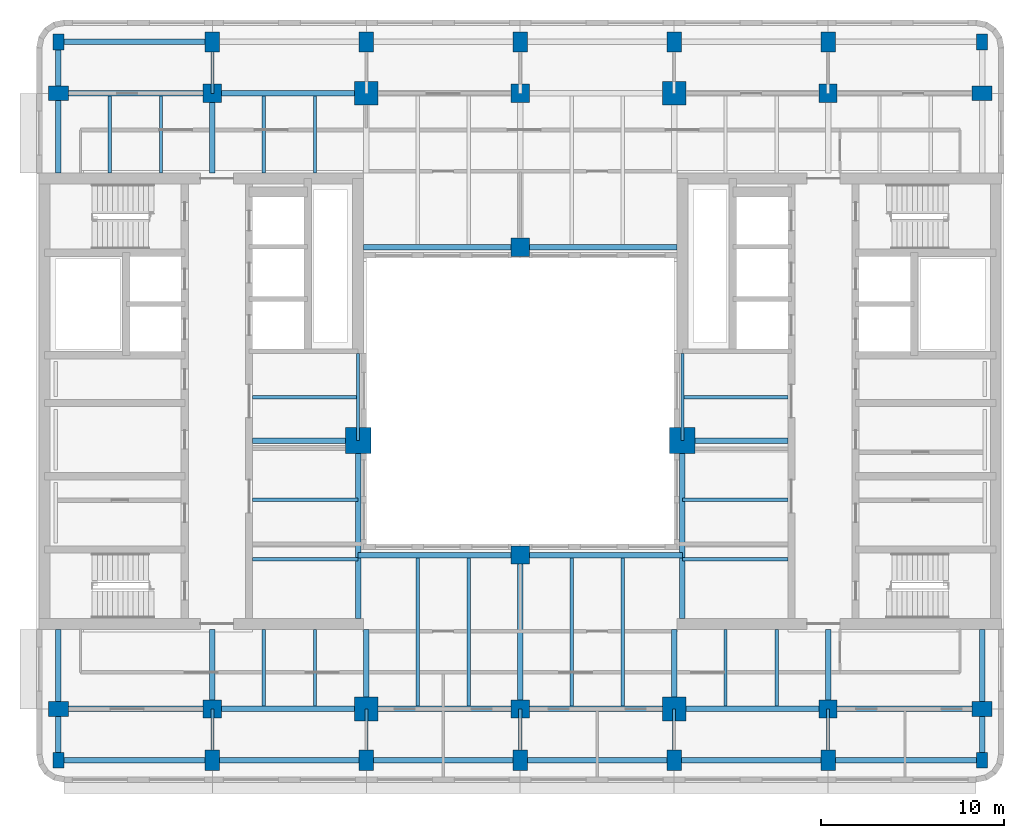
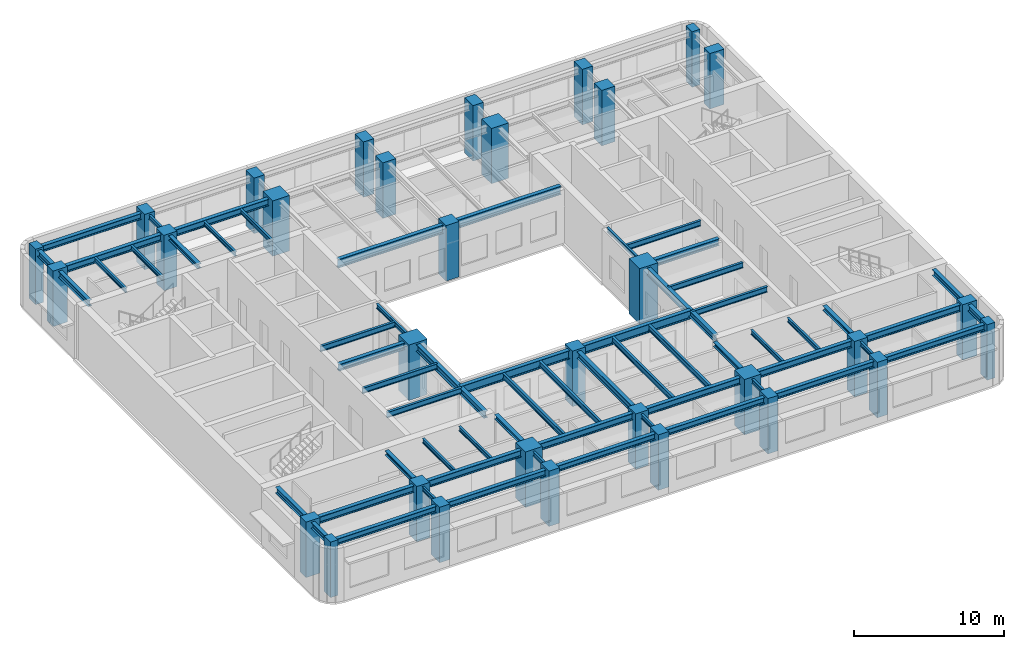
# One storey, part 1 of 11: 61 beams, 32 columns.
"""IFC4 building model written with IfcOpenShell, lengths in metres."""

from ifc_helpers import new_model, si_unit, direction, frame, origin, origin_2d, place, context, subcontext, project, spatial, rectangle, i_section, extrude, material, material_profile, profile_set, type_object, element, save


model = new_model("IFC4")

# Units and contexts
model_context = context("Model", 3, precision=1e-05, world=origin(), true_north=direction((0.0, 1.0)))
body_context = subcontext(model_context, "Body", "Model", "MODEL_VIEW")
ifc_project = project(units=[si_unit("LENGTHUNIT", "METRE"), si_unit("AREAUNIT", "SQUARE_METRE"), si_unit("VOLUMEUNIT", "CUBIC_METRE"), si_unit("PLANEANGLEUNIT", "RADIAN"), si_unit("MASSUNIT", "GRAM", prefix="KILO")], contexts=[model_context])

# Site, building, storey
site_placement = place(None, origin())
site = spatial("IfcSite", under=ifc_project, at=site_placement, CompositionType="ELEMENT")
building_placement = place(site_placement, origin())
building = spatial("IfcBuilding", under=site, at=building_placement, Name="Claustro Exchange Tower", CompositionType="ELEMENT")
storey_placement = place(building_placement, frame((0.0, 0.0, 263.699951171875)))
storey = spatial("IfcBuildingStorey", under=building, at=storey_placement, Name="L60", CompositionType="ELEMENT", Elevation=263.699951171875)

# Columns
ifc_material_1 = material(Name="Concrete HA-70 (C70/85)", Category="concrete")
ifc_material_profile_1 = material_profile(ifc_material_1, rectangle(XDim=1.39990234375, YDim=1.39990234375, at=origin_2d()), Name="RC 1400x1400")
ifc_profile_set_1 = profile_set([ifc_material_profile_1], Name="Concrete HA-70 (C70/85)")
column_type_1 = type_object("IfcColumnType", Name="C0 RC 1400x1400 HA-70 column", PredefinedType="COLUMN", material=ifc_profile_set_1)
for number, where, z_axis, x_axis, name in (
    (1, (16.35009765625, 23.050048828125, 0.0), (0.0, 0.0, 1.0), (1.0, 0.0, 0.0), "Column C0 2+7950/C+6250 L60"),
    (2, (34.050048828125, 23.050048828125, 0.0), (0.0, 0.0, 1.0), (1.0, 0.0, 0.0), "Column C0 5+450/C+6250 L60"),
):
    element("IfcColumn", number, at=place(storey_placement, frame(where, z_axis=z_axis, x_axis=x_axis)), inside=storey, type_object=column_type_1, Name=name, PredefinedType="COLUMN", context=body_context, shape_type="SweptSolid", body=[
        extrude(rectangle(XDim=1.39990234375, YDim=1.39990234375, at=origin_2d()), origin(), (0.0, 0.0, 1.0), 4.5),
    ])
ifc_material_2 = material(Name="Concrete HA-70 (C70/85)", Category="concrete")
ifc_material_profile_2 = material_profile(ifc_material_2, rectangle(XDim=1.0, YDim=1.0, at=origin_2d()), Name="RC 1000x1000")
ifc_profile_set_2 = profile_set([ifc_material_profile_2], Name="Concrete HA-70 (C70/85)")
column_type_2 = type_object("IfcColumnType", Name="C2 RC 1000x1000 HA-70 column", PredefinedType="COLUMN", material=ifc_profile_set_2)
for number, where, z_axis, x_axis, name in (
    (3, (8.39990234375, 8.39990234375, 0.0), (0.0, 0.0, 1.0), (1.0, 0.0, 0.0), "Column C2 2/B L60"),
    (4, (8.39990234375, 42.0, 0.0), (0.0, 0.0, 1.0), (1.0, 0.0, 0.0), "Column C2 2/F L60"),
    (5, (25.199951171875, 8.39990234375, 0.0), (0.0, 0.0, 1.0), (1.0, 0.0, 0.0), "Column C2 4/B L60"),
    (6, (25.199951171875, 42.0, 0.0), (0.0, 0.0, 1.0), (1.0, 0.0, 0.0), "Column C2 4/F L60"),
    (7, (25.199951171875, 16.800048828125, 0.0), (0.0, 0.0, 1.0), (1.0, 0.0, 0.0), "Column C2 4/C L60"),
    (8, (25.199951171875, 33.60009765625, 0.0), (0.0, 0.0, 1.0), (1.0, 0.0, 0.0), "Column C2 4/E L60"),
    (9, (42.0, 8.39990234375, 0.0), (0.0, 0.0, 1.0), (1.0, 0.0, 0.0), "Column C2 6/B L60"),
    (10, (42.0, 42.0, 0.0), (0.0, 0.0, 1.0), (1.0, 0.0, 0.0), "Column C2 6/F L60"),
):
    element("IfcColumn", number, at=place(storey_placement, frame(where, z_axis=z_axis, x_axis=x_axis)), inside=storey, type_object=column_type_2, Name=name, PredefinedType="COLUMN", context=body_context, shape_type="SweptSolid", body=[
        extrude(rectangle(XDim=1.0, YDim=1.0, at=origin_2d()), origin(), (0.0, 0.0, 1.0), 4.5),
    ])
ifc_material_3 = material(Name="Concrete HA-50 (C50/60)", Category="concrete")
ifc_material_profile_3 = material_profile(ifc_material_3, rectangle(XDim=0.800048828125, YDim=1.10009765625, at=origin_2d()), Name="RC 800x1100")
ifc_profile_set_3 = profile_set([ifc_material_profile_3], Name="Concrete HA-50 (C50/60)")
column_type_3 = type_object("IfcColumnType", Name="C23 RC 800x1100 HA-50 perimeter column", PredefinedType="COLUMN", material=ifc_profile_set_3)
for number, where, z_axis, x_axis, name in (
    (11, (0.0, 8.39990234375, 0.0), (0.0, 0.0, 1.0), (0.0, 1.0, 0.0), "Column C23 1/B L60"),
    (12, (0.0, 42.0, 0.0), (0.0, 0.0, 1.0), (0.0, 1.0, 0.0), "Column C23 1/F L60"),
    (13, (8.39990234375, 5.60009765625, 0.0), (0.0, 0.0, 1.0), (1.0, 0.0, 0.0), "Column C23 2/A+5600 L60"),
    (14, (8.39990234375, 44.800048828125, 0.0), (0.0, 0.0, 1.0), (1.0, 0.0, 0.0), "Column C23 2/F+2800 L60"),
    (15, (16.800048828125, 5.60009765625, 0.0), (0.0, 0.0, 1.0), (1.0, 0.0, 0.0), "Column C23 3/A+5600 L60"),
    (16, (16.800048828125, 44.800048828125, 0.0), (0.0, 0.0, 1.0), (1.0, 0.0, 0.0), "Column C23 3/F+2800 L60"),
    (17, (25.199951171875, 5.60009765625, 0.0), (0.0, 0.0, 1.0), (1.0, 0.0, 0.0), "Column C23 4/A+5600 L60"),
    (18, (25.199951171875, 44.800048828125, 0.0), (0.0, 0.0, 1.0), (1.0, 0.0, 0.0), "Column C23 4/F+2800 L60"),
    (19, (33.60009765625, 5.60009765625, 0.0), (0.0, 0.0, 1.0), (1.0, 0.0, 0.0), "Column C23 5/A+5600 L60"),
    (20, (33.60009765625, 44.800048828125, 0.0), (0.0, 0.0, 1.0), (1.0, 0.0, 0.0), "Column C23 5/F+2800 L60"),
    (21, (42.0, 5.60009765625, 0.0), (0.0, 0.0, 1.0), (1.0, 0.0, 0.0), "Column C23 6/A+5600 L60"),
    (22, (42.0, 44.800048828125, 0.0), (0.0, 0.0, 1.0), (1.0, 0.0, 0.0), "Column C23 6/F+2800 L60"),
    (23, (50.39990234375, 8.39990234375, 0.0), (0.0, 0.0, 1.0), (0.0, 1.0, 0.0), "Column C23 7/B L60"),
    (24, (50.39990234375, 42.0, 0.0), (0.0, 0.0, 1.0), (0.0, 1.0, 0.0), "Column C23 7/F L60"),
):
    element("IfcColumn", number, at=place(storey_placement, frame(where, z_axis=z_axis, x_axis=x_axis)), inside=storey, type_object=column_type_3, Name=name, PredefinedType="COLUMN", context=body_context, shape_type="SweptSolid", body=[
        extrude(rectangle(XDim=0.800048828125, YDim=1.10009765625, at=origin_2d()), origin(), (0.0, 0.0, 1.0), 4.5),
    ])
ifc_material_4 = material(Name="Concrete HA-50 (C50/60)", Category="concrete")
ifc_material_profile_4 = material_profile(ifc_material_4, rectangle(XDim=0.60009765625, YDim=0.85009765625, at=origin_2d()), Name="RC 600x850")
ifc_profile_set_4 = profile_set([ifc_material_profile_4], Name="Concrete HA-50 (C50/60)")
column_type_4 = type_object("IfcColumnType", Name="C25 RC 600x850 HA-50 corner column", PredefinedType="COLUMN", material=ifc_profile_set_4)
for number, where, z_axis, x_axis, name in (
    (25, (0.0, 5.60009765625, 0.0), (0.0, 0.0, 1.0), (1.0, 0.0, 0.0), "Column C25 1/A+5600 L60"),
    (26, (0.0, 44.800048828125, 0.0), (0.0, 0.0, 1.0), (1.0, 0.0, 0.0), "Column C25 1/F+2800 L60"),
    (27, (50.39990234375, 5.60009765625, 0.0), (0.0, 0.0, 1.0), (1.0, 0.0, 0.0), "Column C25 7/A+5600 L60"),
    (28, (50.39990234375, 44.800048828125, 0.0), (0.0, 0.0, 1.0), (1.0, 0.0, 0.0), "Column C25 7/F+2800 L60"),
):
    element("IfcColumn", number, at=place(storey_placement, frame(where, z_axis=z_axis, x_axis=x_axis)), inside=storey, type_object=column_type_4, Name=name, PredefinedType="COLUMN", context=body_context, shape_type="SweptSolid", body=[
        extrude(rectangle(XDim=0.60009765625, YDim=0.85009765625, at=origin_2d()), origin(), (0.0, 0.0, 1.0), 4.5),
    ])
ifc_material_5 = material(Name="Concrete HA-70 (C70/85)", Category="concrete")
ifc_material_profile_5 = material_profile(ifc_material_5, rectangle(XDim=1.300048828125, YDim=1.300048828125, at=origin_2d()), Name="RC 1300x1300")
ifc_profile_set_5 = profile_set([ifc_material_profile_5], Name="Concrete HA-70 (C70/85)")
column_type_5 = type_object("IfcColumnType", Name="C42 RC 1300x1300 HA-70 column", PredefinedType="COLUMN", material=ifc_profile_set_5)
for number, where, z_axis, x_axis, name in (
    (29, (16.800048828125, 8.39990234375, 0.0), (0.0, 0.0, 1.0), (1.0, 0.0, 0.0), "Column C42 3/B L60"),
    (30, (16.800048828125, 42.0, 0.0), (0.0, 0.0, 1.0), (1.0, 0.0, 0.0), "Column C42 3/F L60"),
    (31, (33.60009765625, 8.39990234375, 0.0), (0.0, 0.0, 1.0), (1.0, 0.0, 0.0), "Column C42 5/B L60"),
    (32, (33.60009765625, 42.0, 0.0), (0.0, 0.0, 1.0), (1.0, 0.0, 0.0), "Column C42 5/F L60"),
):
    element("IfcColumn", number, at=place(storey_placement, frame(where, z_axis=z_axis, x_axis=x_axis)), inside=storey, type_object=column_type_5, Name=name, PredefinedType="COLUMN", context=body_context, shape_type="SweptSolid", body=[
        extrude(rectangle(XDim=1.300048828125, YDim=1.300048828125, at=origin_2d()), origin(), (0.0, 0.0, 1.0), 4.5),
    ])

# Beams
ifc_material_6 = material(Name="Steel S355", Category="steel")
ifc_material_profile_6 = material_profile(ifc_material_6, i_section(OverallWidth=0.300048828125, OverallDepth=0.68994140625, WebThickness=0.014404296875, FlangeThickness=0.027099609375, FilletRadius=0.027099609375, at=origin_2d()), Name="HE 700 A")
ifc_profile_set_6 = profile_set([ifc_material_profile_6], Name="Steel S355")
beam_type_1 = type_object("IfcBeamType", Name="B13 HE 700 A light well edge girder", PredefinedType="BEAM", material=ifc_profile_set_6)
beam_1_placement = place(storey_placement, frame((16.35009765625, 16.800048828125, 4.005126953125), z_axis=(1.0, 0.0, 0.0), x_axis=(0.0, 1.0, 0.0)))
element("IfcBeam", 33, at=beam_1_placement, inside=storey, type_object=beam_type_1, Name="Beam B13 L61", PredefinedType="BEAM", context=body_context, shape_type="SweptSolid", body=[
    extrude(i_section(OverallWidth=0.300048828125, OverallDepth=0.68994140625, WebThickness=0.014404296875, FlangeThickness=0.027099609375, FilletRadius=0.027099609375, at=origin_2d()), origin(), (0.0, 0.0, 1.0), 8.849853515625),
])
beam_2_placement = place(storey_placement, frame((25.199951171875, 16.800048828125, 4.005126953125), z_axis=(1.0, 0.0, 0.0), x_axis=(0.0, 1.0, 0.0)))
element("IfcBeam", 34, at=beam_2_placement, inside=storey, type_object=beam_type_1, Name="Beam B13 L61", PredefinedType="BEAM", context=body_context, shape_type="SweptSolid", body=[
    extrude(i_section(OverallWidth=0.300048828125, OverallDepth=0.68994140625, WebThickness=0.014404296875, FlangeThickness=0.027099609375, FilletRadius=0.027099609375, at=origin_2d()), origin(), (0.0, 0.0, 1.0), 8.85009765625),
])
for number, where, z_axis, x_axis, name in (
    (35, (16.64990234375, 33.60009765625, 4.005126953125), (1.0, 0.0, 0.0), (0.0, 1.0, 0.0), "Beam B13 L61"),
    (36, (25.199951171875, 33.60009765625, 4.005126953125), (1.0, 0.0, 0.0), (0.0, 1.0, 0.0), "Beam B13 L61"),
):
    element("IfcBeam", number, at=place(storey_placement, frame(where, z_axis=z_axis, x_axis=x_axis)), inside=storey, type_object=beam_type_1, Name=name, PredefinedType="BEAM", context=body_context, shape_type="SweptSolid", body=[
        extrude(i_section(OverallWidth=0.300048828125, OverallDepth=0.68994140625, WebThickness=0.014404296875, FlangeThickness=0.027099609375, FilletRadius=0.027099609375, at=origin_2d()), origin(), (0.0, 0.0, 1.0), 8.550048828125),
    ])
ifc_material_7 = material(Name="Steel S355", Category="steel")
ifc_material_profile_7 = material_profile(ifc_material_7, i_section(OverallWidth=0.169921875, OverallDepth=0.360107421875, WebThickness=0.008056640625, FlangeThickness=0.0126953125, FilletRadius=0.01806640625, at=origin_2d()), Name="IPE 360")
ifc_profile_set_7 = profile_set([ifc_material_profile_7], Name="Steel S355")
beam_type_2 = type_object("IfcBeamType", Name="B16 IPE 360 short-span beam", PredefinedType="BEAM", material=ifc_profile_set_7)
beam_3_placement = place(storey_placement, frame((8.39990234375, 5.60009765625, 4.170166015625), z_axis=(0.0, 1.0, 0.0), x_axis=(-1.0, 0.0, 0.0)))
element("IfcBeam", 37, at=beam_3_placement, inside=storey, type_object=beam_type_2, Name="Beam B16 L61", PredefinedType="BEAM", context=body_context, shape_type="SweptSolid", body=[
    extrude(i_section(OverallWidth=0.169921875, OverallDepth=0.360107421875, WebThickness=0.008056640625, FlangeThickness=0.0126953125, FilletRadius=0.01806640625, at=origin_2d()), origin(), (0.0, 0.0, 1.0), 2.7998046875),
])
beam_4_placement = place(storey_placement, frame((8.39990234375, 42.0, 4.170166015625), z_axis=(0.0, 1.0, 0.0), x_axis=(-1.0, 0.0, 0.0)))
element("IfcBeam", 38, at=beam_4_placement, inside=storey, type_object=beam_type_2, Name="Beam B16 L61", PredefinedType="BEAM", context=body_context, shape_type="SweptSolid", body=[
    extrude(i_section(OverallWidth=0.169921875, OverallDepth=0.360107421875, WebThickness=0.008056640625, FlangeThickness=0.0126953125, FilletRadius=0.01806640625, at=origin_2d()), origin(), (0.0, 0.0, 1.0), 2.800048828125),
])
for number, where, z_axis, x_axis, name in (
    (39, (16.800048828125, 5.60009765625, 4.170166015625), (0.0, 1.0, 0.0), (-1.0, 0.0, 0.0), "Beam B16 L61"),
    (40, (25.199951171875, 5.60009765625, 4.170166015625), (0.0, 1.0, 0.0), (-1.0, 0.0, 0.0), "Beam B16 L61"),
    (41, (33.60009765625, 5.60009765625, 4.170166015625), (0.0, 1.0, 0.0), (-1.0, 0.0, 0.0), "Beam B16 L61"),
    (42, (42.0, 5.60009765625, 4.170166015625), (0.0, 1.0, 0.0), (-1.0, 0.0, 0.0), "Beam B16 L61"),
):
    element("IfcBeam", number, at=place(storey_placement, frame(where, z_axis=z_axis, x_axis=x_axis)), inside=storey, type_object=beam_type_2, Name=name, PredefinedType="BEAM", context=body_context, shape_type="SweptSolid", body=[
        extrude(i_section(OverallWidth=0.169921875, OverallDepth=0.360107421875, WebThickness=0.008056640625, FlangeThickness=0.0126953125, FilletRadius=0.01806640625, at=origin_2d()), origin(), (0.0, 0.0, 1.0), 2.7998046875),
    ])
for number, where, z_axis, x_axis, name in (
    (43, (2.800048828125, 37.64990234375, 4.170166015625), (0.0, 1.0, 0.0), (-1.0, 0.0, 0.0), "Beam B16 L61"),
    (44, (5.60009765625, 37.64990234375, 4.170166015625), (0.0, 1.0, 0.0), (-1.0, 0.0, 0.0), "Beam B16 L61"),
):
    element("IfcBeam", number, at=place(storey_placement, frame(where, z_axis=z_axis, x_axis=x_axis)), inside=storey, type_object=beam_type_2, Name=name, PredefinedType="BEAM", context=body_context, shape_type="SweptSolid", body=[
        extrude(i_section(OverallWidth=0.169921875, OverallDepth=0.360107421875, WebThickness=0.008056640625, FlangeThickness=0.0126953125, FilletRadius=0.01806640625, at=origin_2d()), origin(), (0.0, 0.0, 1.0), 4.2001953125),
    ])
for number, where, z_axis, x_axis, name in (
    (45, (11.199951171875, 8.550048828125, 4.170166015625), (0.0, 1.0, 0.0), (-1.0, 0.0, 0.0), "Beam B16 L61"),
    (46, (14.0, 8.550048828125, 4.170166015625), (0.0, 1.0, 0.0), (-1.0, 0.0, 0.0), "Beam B16 L61"),
):
    element("IfcBeam", number, at=place(storey_placement, frame(where, z_axis=z_axis, x_axis=x_axis)), inside=storey, type_object=beam_type_2, Name=name, PredefinedType="BEAM", context=body_context, shape_type="SweptSolid", body=[
        extrude(i_section(OverallWidth=0.169921875, OverallDepth=0.360107421875, WebThickness=0.008056640625, FlangeThickness=0.0126953125, FilletRadius=0.01806640625, at=origin_2d()), origin(), (0.0, 0.0, 1.0), 4.199951171875),
    ])
for number, where, z_axis, x_axis, name in (
    (47, (11.199951171875, 37.64990234375, 4.170166015625), (0.0, 1.0, 0.0), (-1.0, 0.0, 0.0), "Beam B16 L61"),
    (48, (14.0, 37.64990234375, 4.170166015625), (0.0, 1.0, 0.0), (-1.0, 0.0, 0.0), "Beam B16 L61"),
):
    element("IfcBeam", number, at=place(storey_placement, frame(where, z_axis=z_axis, x_axis=x_axis)), inside=storey, type_object=beam_type_2, Name=name, PredefinedType="BEAM", context=body_context, shape_type="SweptSolid", body=[
        extrude(i_section(OverallWidth=0.169921875, OverallDepth=0.360107421875, WebThickness=0.008056640625, FlangeThickness=0.0126953125, FilletRadius=0.01806640625, at=origin_2d()), origin(), (0.0, 0.0, 1.0), 4.2001953125),
    ])
for number, where, z_axis, x_axis, name in (
    (49, (36.39990234375, 8.550048828125, 4.170166015625), (0.0, 1.0, 0.0), (-1.0, 0.0, 0.0), "Beam B16 L61"),
    (50, (39.199951171875, 8.550048828125, 4.170166015625), (0.0, 1.0, 0.0), (-1.0, 0.0, 0.0), "Beam B16 L61"),
):
    element("IfcBeam", number, at=place(storey_placement, frame(where, z_axis=z_axis, x_axis=x_axis)), inside=storey, type_object=beam_type_2, Name=name, PredefinedType="BEAM", context=body_context, shape_type="SweptSolid", body=[
        extrude(i_section(OverallWidth=0.169921875, OverallDepth=0.360107421875, WebThickness=0.008056640625, FlangeThickness=0.0126953125, FilletRadius=0.01806640625, at=origin_2d()), origin(), (0.0, 0.0, 1.0), 4.199951171875),
    ])
for number, where, z_axis, x_axis, name in (
    (51, (16.35009765625, 23.050048828125, 4.170166015625), (0.0, 1.0, 0.0), (-1.0, 0.0, 0.0), "Beam B16 core step framing L61"),
    (52, (34.050048828125, 23.050048828125, 4.170166015625), (0.0, 1.0, 0.0), (-1.0, 0.0, 0.0), "Beam B16 core step framing L61"),
):
    element("IfcBeam", number, at=place(storey_placement, frame(where, z_axis=z_axis, x_axis=x_axis)), inside=storey, type_object=beam_type_2, Name=name, PredefinedType="BEAM", context=body_context, shape_type="SweptSolid", body=[
        extrude(i_section(OverallWidth=0.169921875, OverallDepth=0.360107421875, WebThickness=0.008056640625, FlangeThickness=0.0126953125, FilletRadius=0.01806640625, at=origin_2d()), origin(), (0.0, 0.0, 1.0), 4.75),
    ])
ifc_material_8 = material(Name="Steel S355", Category="steel")
ifc_material_profile_8 = material_profile(ifc_material_8, i_section(OverallWidth=0.300048828125, OverallDepth=0.550048828125, WebThickness=0.014892578125, FlangeThickness=0.029052734375, FilletRadius=0.027099609375, at=origin_2d()), Name="HE 550 B")
ifc_profile_set_8 = profile_set([ifc_material_profile_8], Name="Steel S355")
beam_type_3 = type_object("IfcBeamType", Name="B17 HE 550 B floor girder", PredefinedType="BEAM", material=ifc_profile_set_8)
beam_5_placement = place(storey_placement, frame((25.199951171875, 8.39990234375, 4.074951171875), z_axis=(0.0, 1.0, 0.0), x_axis=(-1.0, 0.0, 0.0)))
element("IfcBeam", 53, at=beam_5_placement, inside=storey, type_object=beam_type_3, Name="Beam B17 L61", PredefinedType="BEAM", context=body_context, shape_type="SweptSolid", body=[
    extrude(i_section(OverallWidth=0.300048828125, OverallDepth=0.550048828125, WebThickness=0.014892578125, FlangeThickness=0.029052734375, FilletRadius=0.027099609375, at=origin_2d()), origin(), (0.0, 0.0, 1.0), 8.400146484375),
])
beam_6_placement = place(storey_placement, frame((0.0, 8.39990234375, 4.074951171875), z_axis=(1.0, 0.0, 0.0), x_axis=(0.0, 1.0, 0.0)))
element("IfcBeam", 54, at=beam_6_placement, inside=storey, type_object=beam_type_3, Name="Beam B17 L61", PredefinedType="BEAM", context=body_context, shape_type="SweptSolid", body=[
    extrude(i_section(OverallWidth=0.300048828125, OverallDepth=0.550048828125, WebThickness=0.014892578125, FlangeThickness=0.029052734375, FilletRadius=0.027099609375, at=origin_2d()), origin(), (0.0, 0.0, 1.0), 8.39990234375),
])
beam_7_placement = place(storey_placement, frame((8.39990234375, 8.39990234375, 4.074951171875), z_axis=(1.0, 0.0, 0.0), x_axis=(0.0, 1.0, 0.0)))
element("IfcBeam", 55, at=beam_7_placement, inside=storey, type_object=beam_type_3, Name="Beam B17 L61", PredefinedType="BEAM", context=body_context, shape_type="SweptSolid", body=[
    extrude(i_section(OverallWidth=0.300048828125, OverallDepth=0.550048828125, WebThickness=0.014892578125, FlangeThickness=0.029052734375, FilletRadius=0.027099609375, at=origin_2d()), origin(), (0.0, 0.0, 1.0), 8.400146484375),
])
beam_8_placement = place(storey_placement, frame((16.800048828125, 8.39990234375, 4.074951171875), z_axis=(1.0, 0.0, 0.0), x_axis=(0.0, 1.0, 0.0)))
element("IfcBeam", 56, at=beam_8_placement, inside=storey, type_object=beam_type_3, Name="Beam B17 L61", PredefinedType="BEAM", context=body_context, shape_type="SweptSolid", body=[
    extrude(i_section(OverallWidth=0.300048828125, OverallDepth=0.550048828125, WebThickness=0.014892578125, FlangeThickness=0.029052734375, FilletRadius=0.027099609375, at=origin_2d()), origin(), (0.0, 0.0, 1.0), 8.39990234375),
])
beam_9_placement = place(storey_placement, frame((25.199951171875, 8.39990234375, 4.074951171875), z_axis=(1.0, 0.0, 0.0), x_axis=(0.0, 1.0, 0.0)))
element("IfcBeam", 57, at=beam_9_placement, inside=storey, type_object=beam_type_3, Name="Beam B17 L61", PredefinedType="BEAM", context=body_context, shape_type="SweptSolid", body=[
    extrude(i_section(OverallWidth=0.300048828125, OverallDepth=0.550048828125, WebThickness=0.014892578125, FlangeThickness=0.029052734375, FilletRadius=0.027099609375, at=origin_2d()), origin(), (0.0, 0.0, 1.0), 8.400146484375),
])
for number, where, z_axis, x_axis, name in (
    (58, (33.60009765625, 8.39990234375, 4.074951171875), (1.0, 0.0, 0.0), (0.0, 1.0, 0.0), "Beam B17 L61"),
    (59, (42.0, 8.39990234375, 4.074951171875), (1.0, 0.0, 0.0), (0.0, 1.0, 0.0), "Beam B17 L61"),
    (60, (0.0, 42.0, 4.074951171875), (1.0, 0.0, 0.0), (0.0, 1.0, 0.0), "Beam B17 L61"),
):
    element("IfcBeam", number, at=place(storey_placement, frame(where, z_axis=z_axis, x_axis=x_axis)), inside=storey, type_object=beam_type_3, Name=name, PredefinedType="BEAM", context=body_context, shape_type="SweptSolid", body=[
        extrude(i_section(OverallWidth=0.300048828125, OverallDepth=0.550048828125, WebThickness=0.014892578125, FlangeThickness=0.029052734375, FilletRadius=0.027099609375, at=origin_2d()), origin(), (0.0, 0.0, 1.0), 8.39990234375),
    ])
beam_10_placement = place(storey_placement, frame((8.39990234375, 42.0, 4.074951171875), z_axis=(1.0, 0.0, 0.0), x_axis=(0.0, 1.0, 0.0)))
element("IfcBeam", 61, at=beam_10_placement, inside=storey, type_object=beam_type_3, Name="Beam B17 L61", PredefinedType="BEAM", context=body_context, shape_type="SweptSolid", body=[
    extrude(i_section(OverallWidth=0.300048828125, OverallDepth=0.550048828125, WebThickness=0.014892578125, FlangeThickness=0.029052734375, FilletRadius=0.027099609375, at=origin_2d()), origin(), (0.0, 0.0, 1.0), 8.400146484375),
])
beam_11_placement = place(storey_placement, frame((10.60009765625, 23.050048828125, 4.074951171875), z_axis=(1.0, 0.0, 0.0), x_axis=(0.0, 1.0, 0.0)))
element("IfcBeam", 62, at=beam_11_placement, inside=storey, type_object=beam_type_3, Name="Beam B17 core step framing L61", PredefinedType="BEAM", context=body_context, shape_type="SweptSolid", body=[
    extrude(i_section(OverallWidth=0.300048828125, OverallDepth=0.550048828125, WebThickness=0.014892578125, FlangeThickness=0.029052734375, FilletRadius=0.027099609375, at=origin_2d()), origin(), (0.0, 0.0, 1.0), 5.75),
])
beam_12_placement = place(storey_placement, frame((16.35009765625, 13.35009765625, 4.074951171875), z_axis=(0.0, 1.0, 0.0), x_axis=(-1.0, 0.0, 0.0)))
element("IfcBeam", 63, at=beam_12_placement, inside=storey, type_object=beam_type_3, Name="Beam B17 core step framing L61", PredefinedType="BEAM", context=body_context, shape_type="SweptSolid", body=[
    extrude(i_section(OverallWidth=0.300048828125, OverallDepth=0.550048828125, WebThickness=0.014892578125, FlangeThickness=0.029052734375, FilletRadius=0.027099609375, at=origin_2d()), origin(), (0.0, 0.0, 1.0), 9.699951171875),
])
beam_13_placement = place(storey_placement, frame((34.050048828125, 23.050048828125, 4.074951171875), z_axis=(1.0, 0.0, 0.0), x_axis=(0.0, 1.0, 0.0)))
element("IfcBeam", 64, at=beam_13_placement, inside=storey, type_object=beam_type_3, Name="Beam B17 core step framing L61", PredefinedType="BEAM", context=body_context, shape_type="SweptSolid", body=[
    extrude(i_section(OverallWidth=0.300048828125, OverallDepth=0.550048828125, WebThickness=0.014892578125, FlangeThickness=0.029052734375, FilletRadius=0.027099609375, at=origin_2d()), origin(), (0.0, 0.0, 1.0), 5.75),
])
beam_14_placement = place(storey_placement, frame((34.050048828125, 13.35009765625, 4.074951171875), z_axis=(0.0, 1.0, 0.0), x_axis=(-1.0, 0.0, 0.0)))
element("IfcBeam", 65, at=beam_14_placement, inside=storey, type_object=beam_type_3, Name="Beam B17 core step framing L61", PredefinedType="BEAM", context=body_context, shape_type="SweptSolid", body=[
    extrude(i_section(OverallWidth=0.300048828125, OverallDepth=0.550048828125, WebThickness=0.014892578125, FlangeThickness=0.029052734375, FilletRadius=0.027099609375, at=origin_2d()), origin(), (0.0, 0.0, 1.0), 9.699951171875),
])
ifc_material_9 = material(Name="Steel S355", Category="steel")
ifc_material_profile_9 = material_profile(ifc_material_9, i_section(OverallWidth=0.300048828125, OverallDepth=0.360107421875, WebThickness=0.012451171875, FlangeThickness=0.0224609375, FilletRadius=0.027099609375, at=origin_2d()), Name="HE 360 B")
ifc_profile_set_9 = profile_set([ifc_material_profile_9], Name="Steel S355")
beam_type_4 = type_object("IfcBeamType", Name="B29 HE 360 B column to core link beam", PredefinedType="BEAM", material=ifc_profile_set_9)
for number, where, z_axis, x_axis, name in (
    (66, (8.39990234375, 8.39990234375, 4.170166015625), (0.0, 1.0, 0.0), (-1.0, 0.0, 0.0), "Beam B29 L61"),
    (67, (8.39990234375, 37.64990234375, 4.170166015625), (0.0, 1.0, 0.0), (-1.0, 0.0, 0.0), "Beam B29 L61"),
    (68, (16.800048828125, 8.39990234375, 4.170166015625), (0.0, 1.0, 0.0), (-1.0, 0.0, 0.0), "Beam B29 L61"),
    (69, (33.60009765625, 8.39990234375, 4.170166015625), (0.0, 1.0, 0.0), (-1.0, 0.0, 0.0), "Beam B29 L61"),
    (70, (42.0, 8.39990234375, 4.170166015625), (0.0, 1.0, 0.0), (-1.0, 0.0, 0.0), "Beam B29 L61"),
):
    element("IfcBeam", number, at=place(storey_placement, frame(where, z_axis=z_axis, x_axis=x_axis)), inside=storey, type_object=beam_type_4, Name=name, PredefinedType="BEAM", context=body_context, shape_type="SweptSolid", body=[
        extrude(i_section(OverallWidth=0.300048828125, OverallDepth=0.360107421875, WebThickness=0.012451171875, FlangeThickness=0.0224609375, FilletRadius=0.027099609375, at=origin_2d()), origin(), (0.0, 0.0, 1.0), 4.35009765625),
    ])
ifc_material_10 = material(Name="Steel S355", Category="steel")
ifc_material_profile_10 = material_profile(ifc_material_10, i_section(OverallWidth=0.18994140625, OverallDepth=0.449951171875, WebThickness=0.009521484375, FlangeThickness=0.0146484375, FilletRadius=0.02099609375, at=origin_2d()), Name="IPE 450")
ifc_profile_set_10 = profile_set([ifc_material_profile_10], Name="Steel S355")
beam_type_5 = type_object("IfcBeamType", Name="B8 IPE 450 secondary beam", PredefinedType="BEAM", material=ifc_profile_set_10)
for number, where, z_axis, x_axis, name in (
    (71, (19.60009765625, 8.550048828125, 4.125), (0.0, 1.0, 0.0), (-1.0, 0.0, 0.0), "Beam B8 L61"),
    (72, (22.39990234375, 8.550048828125, 4.125), (0.0, 1.0, 0.0), (-1.0, 0.0, 0.0), "Beam B8 L61"),
    (73, (28.0, 8.550048828125, 4.125), (0.0, 1.0, 0.0), (-1.0, 0.0, 0.0), "Beam B8 L61"),
    (74, (30.800048828125, 8.550048828125, 4.125), (0.0, 1.0, 0.0), (-1.0, 0.0, 0.0), "Beam B8 L61"),
):
    element("IfcBeam", number, at=place(storey_placement, frame(where, z_axis=z_axis, x_axis=x_axis)), inside=storey, type_object=beam_type_5, Name=name, PredefinedType="BEAM", context=body_context, shape_type="SweptSolid", body=[
        extrude(i_section(OverallWidth=0.18994140625, OverallDepth=0.449951171875, WebThickness=0.009521484375, FlangeThickness=0.0146484375, FilletRadius=0.02099609375, at=origin_2d()), origin(), (0.0, 0.0, 1.0), 8.099853515625),
    ])
for number, where, z_axis, x_axis, name in (
    (75, (10.60009765625, 16.583251953125, 4.125), (1.0, 0.0, 0.0), (0.0, 1.0, 0.0), "Beam B8 core step framing L61"),
    (76, (10.60009765625, 19.816650390625, 4.125), (1.0, 0.0, 0.0), (0.0, 1.0, 0.0), "Beam B8 core step framing L61"),
    (77, (10.60009765625, 25.425048828125, 4.125), (1.0, 0.0, 0.0), (0.0, 1.0, 0.0), "Beam B8 core step framing L61"),
    (78, (34.050048828125, 16.583251953125, 4.125), (1.0, 0.0, 0.0), (0.0, 1.0, 0.0), "Beam B8 core step framing L61"),
    (79, (34.050048828125, 19.816650390625, 4.125), (1.0, 0.0, 0.0), (0.0, 1.0, 0.0), "Beam B8 core step framing L61"),
    (80, (34.050048828125, 25.425048828125, 4.125), (1.0, 0.0, 0.0), (0.0, 1.0, 0.0), "Beam B8 core step framing L61"),
):
    element("IfcBeam", number, at=place(storey_placement, frame(where, z_axis=z_axis, x_axis=x_axis)), inside=storey, type_object=beam_type_5, Name=name, PredefinedType="BEAM", context=body_context, shape_type="SweptSolid", body=[
        extrude(i_section(OverallWidth=0.18994140625, OverallDepth=0.449951171875, WebThickness=0.009521484375, FlangeThickness=0.0146484375, FilletRadius=0.02099609375, at=origin_2d()), origin(), (0.0, 0.0, 1.0), 5.75),
    ])
ifc_material_11 = material(Name="Steel S355", Category="steel")
ifc_material_profile_11 = material_profile(ifc_material_11, i_section(OverallWidth=0.300048828125, OverallDepth=0.489990234375, WebThickness=0.011962890625, FlangeThickness=0.02294921875, FilletRadius=0.027099609375, at=origin_2d()), Name="HE 500 A")
ifc_profile_set_11 = profile_set([ifc_material_profile_11], Name="Steel S355")
beam_type_6 = type_object("IfcBeamType", Name="B9 HE 500 A spandrel edge girder", PredefinedType="SPANDREL", material=ifc_profile_set_11)
beam_15_placement = place(storey_placement, frame((0.0, 5.60009765625, 4.10498046875), z_axis=(0.0, 1.0, 0.0), x_axis=(-1.0, 0.0, 0.0)))
element("IfcBeam", 81, at=beam_15_placement, inside=storey, type_object=beam_type_6, Name="Beam B9 L61", PredefinedType="SPANDREL", context=body_context, shape_type="SweptSolid", body=[
    extrude(i_section(OverallWidth=0.300048828125, OverallDepth=0.489990234375, WebThickness=0.011962890625, FlangeThickness=0.02294921875, FilletRadius=0.027099609375, at=origin_2d()), origin(), (0.0, 0.0, 1.0), 2.7998046875),
])
for number, where, z_axis, x_axis, name in (
    (82, (0.0, 8.39990234375, 4.10498046875), (0.0, 1.0, 0.0), (-1.0, 0.0, 0.0), "Beam B9 L61"),
    (83, (0.0, 37.64990234375, 4.10498046875), (0.0, 1.0, 0.0), (-1.0, 0.0, 0.0), "Beam B9 L61"),
):
    element("IfcBeam", number, at=place(storey_placement, frame(where, z_axis=z_axis, x_axis=x_axis)), inside=storey, type_object=beam_type_6, Name=name, PredefinedType="SPANDREL", context=body_context, shape_type="SweptSolid", body=[
        extrude(i_section(OverallWidth=0.300048828125, OverallDepth=0.489990234375, WebThickness=0.011962890625, FlangeThickness=0.02294921875, FilletRadius=0.027099609375, at=origin_2d()), origin(), (0.0, 0.0, 1.0), 4.35009765625),
    ])
beam_16_placement = place(storey_placement, frame((0.0, 42.0, 4.10498046875), z_axis=(0.0, 1.0, 0.0), x_axis=(-1.0, 0.0, 0.0)))
element("IfcBeam", 84, at=beam_16_placement, inside=storey, type_object=beam_type_6, Name="Beam B9 L61", PredefinedType="SPANDREL", context=body_context, shape_type="SweptSolid", body=[
    extrude(i_section(OverallWidth=0.300048828125, OverallDepth=0.489990234375, WebThickness=0.011962890625, FlangeThickness=0.02294921875, FilletRadius=0.027099609375, at=origin_2d()), origin(), (0.0, 0.0, 1.0), 2.800048828125),
])
beam_17_placement = place(storey_placement, frame((50.39990234375, 5.60009765625, 4.10498046875), z_axis=(0.0, 1.0, 0.0), x_axis=(-1.0, 0.0, 0.0)))
element("IfcBeam", 85, at=beam_17_placement, inside=storey, type_object=beam_type_6, Name="Beam B9 L61", PredefinedType="SPANDREL", context=body_context, shape_type="SweptSolid", body=[
    extrude(i_section(OverallWidth=0.300048828125, OverallDepth=0.489990234375, WebThickness=0.011962890625, FlangeThickness=0.02294921875, FilletRadius=0.027099609375, at=origin_2d()), origin(), (0.0, 0.0, 1.0), 2.7998046875),
])
beam_18_placement = place(storey_placement, frame((50.39990234375, 8.39990234375, 4.10498046875), z_axis=(0.0, 1.0, 0.0), x_axis=(-1.0, 0.0, 0.0)))
element("IfcBeam", 86, at=beam_18_placement, inside=storey, type_object=beam_type_6, Name="Beam B9 L61", PredefinedType="SPANDREL", context=body_context, shape_type="SweptSolid", body=[
    extrude(i_section(OverallWidth=0.300048828125, OverallDepth=0.489990234375, WebThickness=0.011962890625, FlangeThickness=0.02294921875, FilletRadius=0.027099609375, at=origin_2d()), origin(), (0.0, 0.0, 1.0), 4.35009765625),
])
beam_19_placement = place(storey_placement, frame((0.0, 5.60009765625, 4.10498046875), z_axis=(1.0, 0.0, 0.0), x_axis=(0.0, 1.0, 0.0)))
element("IfcBeam", 87, at=beam_19_placement, inside=storey, type_object=beam_type_6, Name="Beam B9 L61", PredefinedType="SPANDREL", context=body_context, shape_type="SweptSolid", body=[
    extrude(i_section(OverallWidth=0.300048828125, OverallDepth=0.489990234375, WebThickness=0.011962890625, FlangeThickness=0.02294921875, FilletRadius=0.027099609375, at=origin_2d()), origin(), (0.0, 0.0, 1.0), 8.39990234375),
])
beam_20_placement = place(storey_placement, frame((8.39990234375, 5.60009765625, 4.10498046875), z_axis=(1.0, 0.0, 0.0), x_axis=(0.0, 1.0, 0.0)))
element("IfcBeam", 88, at=beam_20_placement, inside=storey, type_object=beam_type_6, Name="Beam B9 L61", PredefinedType="SPANDREL", context=body_context, shape_type="SweptSolid", body=[
    extrude(i_section(OverallWidth=0.300048828125, OverallDepth=0.489990234375, WebThickness=0.011962890625, FlangeThickness=0.02294921875, FilletRadius=0.027099609375, at=origin_2d()), origin(), (0.0, 0.0, 1.0), 8.400146484375),
])
beam_21_placement = place(storey_placement, frame((16.800048828125, 5.60009765625, 4.10498046875), z_axis=(1.0, 0.0, 0.0), x_axis=(0.0, 1.0, 0.0)))
element("IfcBeam", 89, at=beam_21_placement, inside=storey, type_object=beam_type_6, Name="Beam B9 L61", PredefinedType="SPANDREL", context=body_context, shape_type="SweptSolid", body=[
    extrude(i_section(OverallWidth=0.300048828125, OverallDepth=0.489990234375, WebThickness=0.011962890625, FlangeThickness=0.02294921875, FilletRadius=0.027099609375, at=origin_2d()), origin(), (0.0, 0.0, 1.0), 8.39990234375),
])
beam_22_placement = place(storey_placement, frame((25.199951171875, 5.60009765625, 4.10498046875), z_axis=(1.0, 0.0, 0.0), x_axis=(0.0, 1.0, 0.0)))
element("IfcBeam", 90, at=beam_22_placement, inside=storey, type_object=beam_type_6, Name="Beam B9 L61", PredefinedType="SPANDREL", context=body_context, shape_type="SweptSolid", body=[
    extrude(i_section(OverallWidth=0.300048828125, OverallDepth=0.489990234375, WebThickness=0.011962890625, FlangeThickness=0.02294921875, FilletRadius=0.027099609375, at=origin_2d()), origin(), (0.0, 0.0, 1.0), 8.400146484375),
])
for number, where, z_axis, x_axis, name in (
    (91, (33.60009765625, 5.60009765625, 4.10498046875), (1.0, 0.0, 0.0), (0.0, 1.0, 0.0), "Beam B9 L61"),
    (92, (42.0, 5.60009765625, 4.10498046875), (1.0, 0.0, 0.0), (0.0, 1.0, 0.0), "Beam B9 L61"),
    (93, (0.0, 44.800048828125, 4.10498046875), (1.0, 0.0, 0.0), (0.0, 1.0, 0.0), "Beam B9 L61"),
):
    element("IfcBeam", number, at=place(storey_placement, frame(where, z_axis=z_axis, x_axis=x_axis)), inside=storey, type_object=beam_type_6, Name=name, PredefinedType="SPANDREL", context=body_context, shape_type="SweptSolid", body=[
        extrude(i_section(OverallWidth=0.300048828125, OverallDepth=0.489990234375, WebThickness=0.011962890625, FlangeThickness=0.02294921875, FilletRadius=0.027099609375, at=origin_2d()), origin(), (0.0, 0.0, 1.0), 8.39990234375),
    ])

save(model, "model.ifc")
